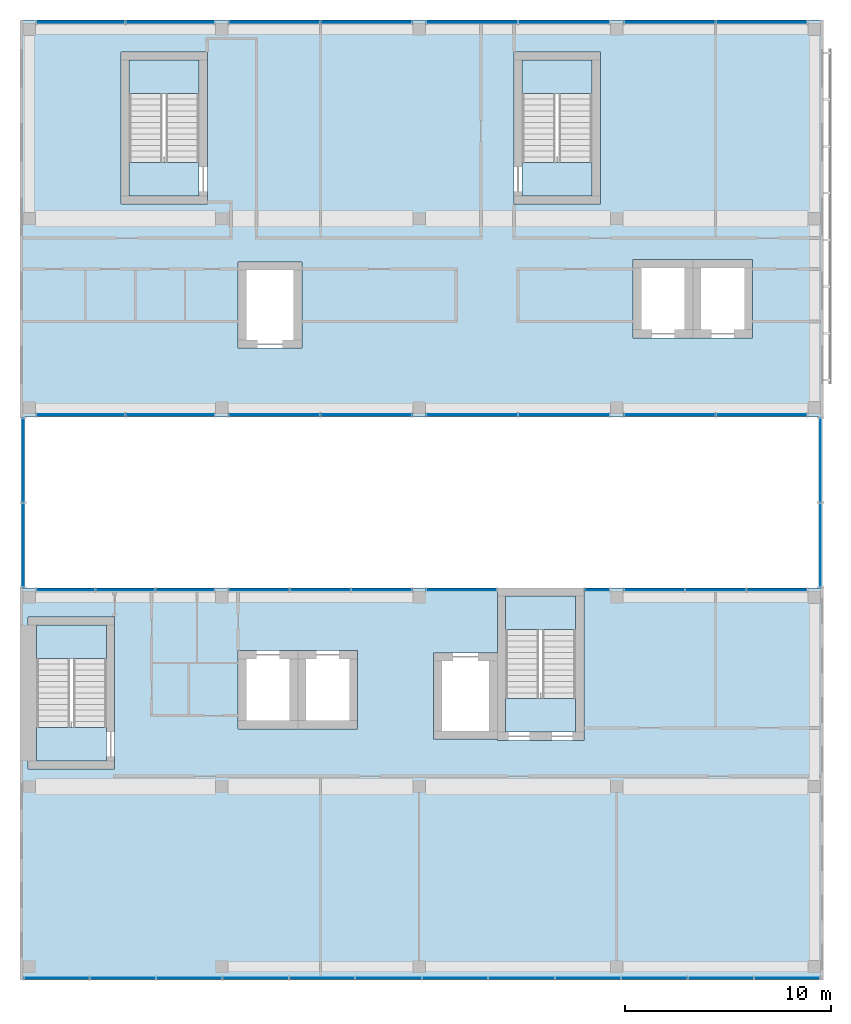
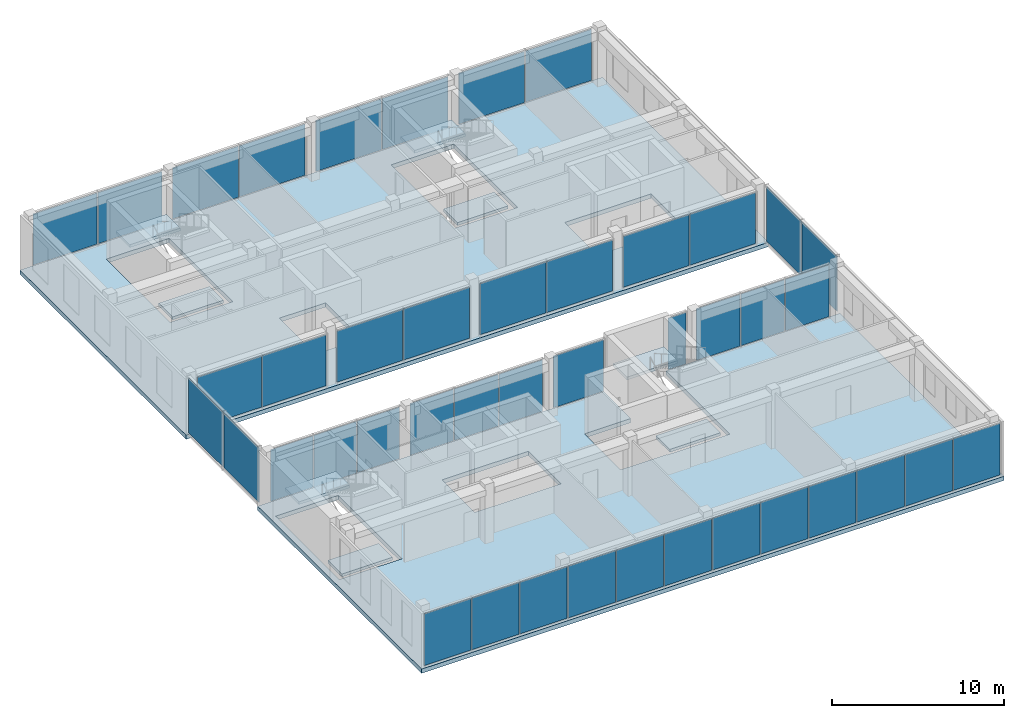
# One storey, part 18 of 28: 43 plates, 10 slabs, 20 elements without a shape of their own.
"""IFC4 building model written with IfcOpenShell, lengths in metres."""

from ifc_helpers import new_model, si_unit, direction, frame, origin, origin_2d, place, context, subcontext, project, spatial, polyline, rectangle, outline, extrude, material, layer, layer_set, type_object, element, aggregate, save


model = new_model("IFC4")

# Units and contexts
model_context = context("Model", 3, precision=1e-05, world=origin(), true_north=direction((0.0, 1.0)))
body_context = subcontext(model_context, "Body", "Model", "MODEL_VIEW")
ifc_project = project(units=[si_unit("LENGTHUNIT", "METRE"), si_unit("AREAUNIT", "SQUARE_METRE"), si_unit("VOLUMEUNIT", "CUBIC_METRE"), si_unit("PLANEANGLEUNIT", "RADIAN"), si_unit("MASSUNIT", "GRAM", prefix="KILO")], contexts=[model_context])

# Site, building, storey
site_placement = place(None, origin())
site = spatial("IfcSite", under=ifc_project, at=site_placement, CompositionType="ELEMENT")
building_placement = place(site_placement, origin())
building = spatial("IfcBuilding", under=site, at=building_placement, Name="Nzadi Deep Aquarium and Research Tower", CompositionType="ELEMENT")
storey_placement = place(building_placement, frame((0.0, 0.0, 73.89990234375)))
storey = spatial("IfcBuildingStorey", under=building, at=storey_placement, Name="L15", CompositionType="ELEMENT", Elevation=73.89990234375)

# Curtain wall, plates
ifc_material_1 = material(Name="Aluminium unitised frame", Category="aluminium")
ifc_layer_1 = layer(ifc_material_1, 0.199951171875)
ifc_layer_set_1 = layer_set([ifc_layer_1], Name="Aluminium unitised frame")
curtain_wall_type_1 = type_object("IfcCurtainWallType", Name="Curtain wall Unitised 200", PredefinedType="NOTDEFINED", material=ifc_layer_set_1)
curtain_wall_1_placement = place(storey_placement, origin())
curtain_wall_1 = element("IfcCurtainWall", 1, at=curtain_wall_1_placement, inside=storey, type_object=curtain_wall_type_1, Name="Unitised curtain wall blade A south L15", PredefinedType="NOTDEFINED")
ifc_material_2 = material(Name="Glass, sage tint", Category="glass")
ifc_layer_2 = layer(ifc_material_2, 0.035888671875)
ifc_layer_set_2 = layer_set([ifc_layer_2], Name="Glass, sage tint")
plate_type_1 = type_object("IfcPlateType", Name="Glazing panel 36 Unitised", PredefinedType="CURTAIN_PANEL", material=ifc_layer_set_2)
plate_1_placement = place(storey_placement, frame((1.57958984375, -0.10009765625, 0.1201171875), z_axis=(0.0, 0.0, 1.0), x_axis=(1.0, 0.0, 0.0)))
plate_1 = element("IfcPlate", 2, at=plate_1_placement, type_object=plate_type_1, Name="CW069 panel 1.1", PredefinedType="CURTAIN_PANEL", context=body_context, shape_type="SweptSolid", body=[
    extrude(rectangle(XDim=3.13916015625, YDim=0.035888671875, at=origin_2d()), origin(), (0.0, 0.0, 1.0), 3.659912109375),
])
plate_2_placement = place(storey_placement, frame((4.793701171875, -0.10009765625, 0.1201171875), z_axis=(0.0, 0.0, 1.0), x_axis=(1.0, 0.0, 0.0)))
plate_2 = element("IfcPlate", 3, at=plate_2_placement, type_object=plate_type_1, Name="CW069 panel 2.1", PredefinedType="CURTAIN_PANEL", context=body_context, shape_type="SweptSolid", body=[
    extrude(rectangle(XDim=3.169189453125, YDim=0.035888671875, at=origin_2d()), origin(), (0.0, 0.0, 1.0), 3.659912109375),
])
plate_3_placement = place(storey_placement, frame((8.02294921875, -0.10009765625, 0.1201171875), z_axis=(0.0, 0.0, 1.0), x_axis=(1.0, 0.0, 0.0)))
plate_3 = element("IfcPlate", 4, at=plate_3_placement, type_object=plate_type_1, Name="CW069 panel 3.1", PredefinedType="CURTAIN_PANEL", context=body_context, shape_type="SweptSolid", body=[
    extrude(rectangle(XDim=3.169189453125, YDim=0.035888671875, at=origin_2d()), origin(), (0.0, 0.0, 1.0), 3.659912109375),
])
plate_4_placement = place(storey_placement, frame((11.252197265625, -0.10009765625, 0.1201171875), z_axis=(0.0, 0.0, 1.0), x_axis=(1.0, 0.0, 0.0)))
plate_4 = element("IfcPlate", 5, at=plate_4_placement, type_object=plate_type_1, Name="CW069 panel 4.1", PredefinedType="CURTAIN_PANEL", context=body_context, shape_type="SweptSolid", body=[
    extrude(rectangle(XDim=3.169189453125, YDim=0.035888671875, at=origin_2d()), origin(), (0.0, 0.0, 1.0), 3.659912109375),
])
plate_5_placement = place(storey_placement, frame((14.481201171875, -0.10009765625, 0.1201171875), z_axis=(0.0, 0.0, 1.0), x_axis=(1.0, 0.0, 0.0)))
plate_5 = element("IfcPlate", 6, at=plate_5_placement, type_object=plate_type_1, Name="CW069 panel 5.1", PredefinedType="CURTAIN_PANEL", context=body_context, shape_type="SweptSolid", body=[
    extrude(rectangle(XDim=3.169189453125, YDim=0.035888671875, at=origin_2d()), origin(), (0.0, 0.0, 1.0), 3.659912109375),
])
plate_6_placement = place(storey_placement, frame((17.71044921875, -0.10009765625, 0.1201171875), z_axis=(0.0, 0.0, 1.0), x_axis=(1.0, 0.0, 0.0)))
plate_6 = element("IfcPlate", 7, at=plate_6_placement, type_object=plate_type_1, Name="CW069 panel 6.1", PredefinedType="CURTAIN_PANEL", context=body_context, shape_type="SweptSolid", body=[
    extrude(rectangle(XDim=3.169189453125, YDim=0.035888671875, at=origin_2d()), origin(), (0.0, 0.0, 1.0), 3.659912109375),
])
plate_7_placement = place(storey_placement, frame((20.939697265625, -0.10009765625, 0.1201171875), z_axis=(0.0, 0.0, 1.0), x_axis=(1.0, 0.0, 0.0)))
plate_7 = element("IfcPlate", 8, at=plate_7_placement, type_object=plate_type_1, Name="CW069 panel 7.1", PredefinedType="CURTAIN_PANEL", context=body_context, shape_type="SweptSolid", body=[
    extrude(rectangle(XDim=3.169189453125, YDim=0.035888671875, at=origin_2d()), origin(), (0.0, 0.0, 1.0), 3.659912109375),
])
plate_8_placement = place(storey_placement, frame((24.168701171875, -0.10009765625, 0.1201171875), z_axis=(0.0, 0.0, 1.0), x_axis=(1.0, 0.0, 0.0)))
plate_8 = element("IfcPlate", 9, at=plate_8_placement, type_object=plate_type_1, Name="CW069 panel 8.1", PredefinedType="CURTAIN_PANEL", context=body_context, shape_type="SweptSolid", body=[
    extrude(rectangle(XDim=3.169189453125, YDim=0.035888671875, at=origin_2d()), origin(), (0.0, 0.0, 1.0), 3.659912109375),
])
plate_9_placement = place(storey_placement, frame((27.39794921875, -0.10009765625, 0.1201171875), z_axis=(0.0, 0.0, 1.0), x_axis=(1.0, 0.0, 0.0)))
plate_9 = element("IfcPlate", 10, at=plate_9_placement, type_object=plate_type_1, Name="CW069 panel 9.1", PredefinedType="CURTAIN_PANEL", context=body_context, shape_type="SweptSolid", body=[
    extrude(rectangle(XDim=3.169189453125, YDim=0.035888671875, at=origin_2d()), origin(), (0.0, 0.0, 1.0), 3.659912109375),
])
plate_10_placement = place(storey_placement, frame((30.627197265625, -0.10009765625, 0.1201171875), z_axis=(0.0, 0.0, 1.0), x_axis=(1.0, 0.0, 0.0)))
plate_10 = element("IfcPlate", 11, at=plate_10_placement, type_object=plate_type_1, Name="CW069 panel 10.1", PredefinedType="CURTAIN_PANEL", context=body_context, shape_type="SweptSolid", body=[
    extrude(rectangle(XDim=3.169189453125, YDim=0.035888671875, at=origin_2d()), origin(), (0.0, 0.0, 1.0), 3.659912109375),
])
plate_11_placement = place(storey_placement, frame((33.856201171875, -0.10009765625, 0.1201171875), z_axis=(0.0, 0.0, 1.0), x_axis=(1.0, 0.0, 0.0)))
plate_11 = element("IfcPlate", 12, at=plate_11_placement, type_object=plate_type_1, Name="CW069 panel 11.1", PredefinedType="CURTAIN_PANEL", context=body_context, shape_type="SweptSolid", body=[
    extrude(rectangle(XDim=3.169189453125, YDim=0.035888671875, at=origin_2d()), origin(), (0.0, 0.0, 1.0), 3.659912109375),
])
plate_12_placement = place(storey_placement, frame((37.0703125, -0.10009765625, 0.1201171875), z_axis=(0.0, 0.0, 1.0), x_axis=(1.0, 0.0, 0.0)))
plate_12 = element("IfcPlate", 13, at=plate_12_placement, type_object=plate_type_1, Name="CW069 panel 12.1", PredefinedType="CURTAIN_PANEL", context=body_context, shape_type="SweptSolid", body=[
    extrude(rectangle(XDim=3.13916015625, YDim=0.035888671875, at=origin_2d()), origin(), (0.0, 0.0, 1.0), 3.659912109375),
])
aggregate(curtain_wall_1, [plate_1, plate_2, plate_3, plate_4, plate_5, plate_6, plate_7, plate_8, plate_9, plate_10, plate_11, plate_12])

curtain_wall_2_placement = place(storey_placement, origin())
curtain_wall_2 = element("IfcCurtainWall", 14, at=curtain_wall_2_placement, inside=storey, type_object=curtain_wall_type_1, Name="Unitised curtain wall blade A north L15", PredefinedType="NOTDEFINED")
plate_13_placement = place(storey_placement, frame((2.0234375, 18.75, 0.1201171875), z_axis=(0.0, 0.0, 1.0), x_axis=(1.0, 0.0, 0.0)))
plate_13 = element("IfcPlate", 15, at=plate_13_placement, type_object=plate_type_1, Name="CW070 panel 1.1", PredefinedType="CURTAIN_PANEL", context=body_context, shape_type="SweptSolid", body=[
    extrude(rectangle(XDim=2.82666015625, YDim=0.035888671875, at=origin_2d()), origin(), (0.0, 0.0, 1.0), 3.659912109375),
])
plate_14_placement = place(storey_placement, frame((4.925048828125, 18.75, 0.1201171875), z_axis=(0.0, 0.0, 1.0), x_axis=(1.0, 0.0, 0.0)))
plate_14 = element("IfcPlate", 16, at=plate_14_placement, type_object=plate_type_1, Name="CW070 panel 2.1", PredefinedType="CURTAIN_PANEL", context=body_context, shape_type="SweptSolid", body=[
    extrude(rectangle(XDim=2.856689453125, YDim=0.035888671875, at=origin_2d()), origin(), (0.0, 0.0, 1.0), 3.659912109375),
])
plate_15_placement = place(storey_placement, frame((7.82666015625, 18.75, 0.1201171875), z_axis=(0.0, 0.0, 1.0), x_axis=(1.0, 0.0, 0.0)))
plate_15 = element("IfcPlate", 17, at=plate_15_placement, type_object=plate_type_1, Name="CW070 panel 3.1", PredefinedType="CURTAIN_PANEL", context=body_context, shape_type="SweptSolid", body=[
    extrude(rectangle(XDim=2.82666015625, YDim=0.035888671875, at=origin_2d()), origin(), (0.0, 0.0, 1.0), 3.659912109375),
])
aggregate(curtain_wall_2, [plate_13, plate_14, plate_15])

curtain_wall_3_placement = place(storey_placement, origin())
curtain_wall_3 = element("IfcCurtainWall", 18, at=curtain_wall_3_placement, inside=storey, type_object=curtain_wall_type_1, Name="Unitised curtain wall blade A north L15", PredefinedType="NOTDEFINED")
plate_16_placement = place(storey_placement, frame((11.4150390625, 18.75, 0.1201171875), z_axis=(0.0, 0.0, 1.0), x_axis=(1.0, 0.0, 0.0)))
plate_16 = element("IfcPlate", 19, at=plate_16_placement, type_object=plate_type_1, Name="CW071 panel 1.1", PredefinedType="CURTAIN_PANEL", context=body_context, shape_type="SweptSolid", body=[
    extrude(rectangle(XDim=2.909912109375, YDim=0.035888671875, at=origin_2d()), origin(), (0.0, 0.0, 1.0), 3.659912109375),
])
plate_17_placement = place(storey_placement, frame((14.39990234375, 18.75, 0.1201171875), z_axis=(0.0, 0.0, 1.0), x_axis=(1.0, 0.0, 0.0)))
plate_17 = element("IfcPlate", 20, at=plate_17_placement, type_object=plate_type_1, Name="CW071 panel 2.1", PredefinedType="CURTAIN_PANEL", context=body_context, shape_type="SweptSolid", body=[
    extrude(rectangle(XDim=2.93994140625, YDim=0.035888671875, at=origin_2d()), origin(), (0.0, 0.0, 1.0), 3.659912109375),
])
plate_18_placement = place(storey_placement, frame((17.385009765625, 18.75, 0.1201171875), z_axis=(0.0, 0.0, 1.0), x_axis=(1.0, 0.0, 0.0)))
plate_18 = element("IfcPlate", 21, at=plate_18_placement, type_object=plate_type_1, Name="CW071 panel 3.1", PredefinedType="CURTAIN_PANEL", context=body_context, shape_type="SweptSolid", body=[
    extrude(rectangle(XDim=2.909912109375, YDim=0.035888671875, at=origin_2d()), origin(), (0.0, 0.0, 1.0), 3.659912109375),
])
aggregate(curtain_wall_3, [plate_16, plate_17, plate_18])

# Curtain wall, plate
curtain_wall_4_placement = place(storey_placement, origin())
curtain_wall_4 = element("IfcCurtainWall", 22, at=curtain_wall_4_placement, inside=storey, type_object=curtain_wall_type_1, Name="Unitised curtain wall blade A north L15", PredefinedType="NOTDEFINED")
plate_19_placement = place(storey_placement, frame((21.25, 18.75, 0.1201171875), z_axis=(0.0, 0.0, 1.0), x_axis=(1.0, 0.0, 0.0)))
plate_19 = element("IfcPlate", 23, at=plate_19_placement, type_object=plate_type_1, Name="CW072 panel 1.1", PredefinedType="CURTAIN_PANEL", context=body_context, shape_type="SweptSolid", body=[
    extrude(rectangle(XDim=3.3798828125, YDim=0.035888671875, at=origin_2d()), origin(), (0.0, 0.0, 1.0), 3.659912109375),
])
aggregate(curtain_wall_4, [plate_19])

curtain_wall_5_placement = place(storey_placement, origin())
curtain_wall_5 = element("IfcCurtainWall", 24, at=curtain_wall_5_placement, inside=storey, type_object=curtain_wall_type_1, Name="Unitised curtain wall blade A north L15", PredefinedType="NOTDEFINED")
plate_20_placement = place(storey_placement, frame((27.85009765625, 18.75, 0.1201171875), z_axis=(0.0, 0.0, 1.0), x_axis=(1.0, 0.0, 0.0)))
plate_20 = element("IfcPlate", 25, at=plate_20_placement, type_object=plate_type_1, Name="CW073 panel 1.1", PredefinedType="CURTAIN_PANEL", context=body_context, shape_type="SweptSolid", body=[
    extrude(rectangle(XDim=1.179931640625, YDim=0.035888671875, at=origin_2d()), origin(), (0.0, 0.0, 1.0), 3.659912109375),
])
aggregate(curtain_wall_5, [plate_20])

# Curtain wall, plates
curtain_wall_6_placement = place(storey_placement, origin())
curtain_wall_6 = element("IfcCurtainWall", 26, at=curtain_wall_6_placement, inside=storey, type_object=curtain_wall_type_1, Name="Unitised curtain wall blade A north L15", PredefinedType="NOTDEFINED")
plate_21_placement = place(storey_placement, frame((30.614990234375, 18.75, 0.1201171875), z_axis=(0.0, 0.0, 1.0), x_axis=(1.0, 0.0, 0.0)))
plate_21 = element("IfcPlate", 27, at=plate_21_placement, type_object=plate_type_1, Name="CW074 panel 1.1", PredefinedType="CURTAIN_PANEL", context=body_context, shape_type="SweptSolid", body=[
    extrude(rectangle(XDim=2.909912109375, YDim=0.035888671875, at=origin_2d()), origin(), (0.0, 0.0, 1.0), 3.659912109375),
])
plate_22_placement = place(storey_placement, frame((33.60009765625, 18.75, 0.1201171875), z_axis=(0.0, 0.0, 1.0), x_axis=(1.0, 0.0, 0.0)))
plate_22 = element("IfcPlate", 28, at=plate_22_placement, type_object=plate_type_1, Name="CW074 panel 2.1", PredefinedType="CURTAIN_PANEL", context=body_context, shape_type="SweptSolid", body=[
    extrude(rectangle(XDim=2.93994140625, YDim=0.035888671875, at=origin_2d()), origin(), (0.0, 0.0, 1.0), 3.659912109375),
])
plate_23_placement = place(storey_placement, frame((36.5849609375, 18.75, 0.1201171875), z_axis=(0.0, 0.0, 1.0), x_axis=(1.0, 0.0, 0.0)))
plate_23 = element("IfcPlate", 29, at=plate_23_placement, type_object=plate_type_1, Name="CW074 panel 3.1", PredefinedType="CURTAIN_PANEL", context=body_context, shape_type="SweptSolid", body=[
    extrude(rectangle(XDim=2.909912109375, YDim=0.035888671875, at=origin_2d()), origin(), (0.0, 0.0, 1.0), 3.659912109375),
])
aggregate(curtain_wall_6, [plate_21, plate_22, plate_23])

ifc_material_3 = material(Name="Aluminium unitised frame deep", Category="aluminium")
ifc_layer_3 = layer(ifc_material_3, 0.22509765625)
ifc_layer_set_3 = layer_set([ifc_layer_3], Name="Aluminium unitised frame deep")
curtain_wall_type_2 = type_object("IfcCurtainWallType", Name="Curtain wall Unitised Deep 225", PredefinedType="NOTDEFINED", material=ifc_layer_set_3)
curtain_wall_7_placement = place(storey_placement, origin())
curtain_wall_7 = element("IfcCurtainWall", 30, at=curtain_wall_7_placement, inside=storey, type_object=curtain_wall_type_2, Name="Unitised curtain wall blade B south L15", PredefinedType="NOTDEFINED")
ifc_material_4 = material(Name="Glass, sage tint", Category="glass")
ifc_layer_4 = layer(ifc_material_4, 0.0400390625)
ifc_layer_set_4 = layer_set([ifc_layer_4], Name="Glass, sage tint")
plate_type_2 = type_object("IfcPlateType", Name="Glazing panel 40 Unitised Deep", PredefinedType="CURTAIN_PANEL", material=ifc_layer_set_4)
plate_24_placement = place(storey_placement, frame((2.75244140625, 27.262451171875, 0.14013671875), z_axis=(0.0, 0.0, 1.0), x_axis=(1.0, 0.0, 0.0)))
plate_24 = element("IfcPlate", 31, at=plate_24_placement, type_object=plate_type_2, Name="CW184 panel 1.1", PredefinedType="CURTAIN_PANEL", context=body_context, shape_type="SweptSolid", body=[
    extrude(rectangle(XDim=4.284912109375, YDim=0.0400390625, at=origin_2d()), origin(), (0.0, 0.0, 1.0), 3.6201171875),
])
plate_25_placement = place(storey_placement, frame((7.097412109375, 27.262451171875, 0.14013671875), z_axis=(0.0, 0.0, 1.0), x_axis=(1.0, 0.0, 0.0)))
plate_25 = element("IfcPlate", 32, at=plate_25_placement, type_object=plate_type_2, Name="CW184 panel 2.1", PredefinedType="CURTAIN_PANEL", context=body_context, shape_type="SweptSolid", body=[
    extrude(rectangle(XDim=4.284912109375, YDim=0.0400390625, at=origin_2d()), origin(), (0.0, 0.0, 1.0), 3.6201171875),
])
aggregate(curtain_wall_7, [plate_24, plate_25])

curtain_wall_8_placement = place(storey_placement, origin())
curtain_wall_8 = element("IfcCurtainWall", 33, at=curtain_wall_8_placement, inside=storey, type_object=curtain_wall_type_2, Name="Unitised curtain wall blade B south L15", PredefinedType="NOTDEFINED")
plate_26_placement = place(storey_placement, frame((12.1650390625, 27.262451171875, 0.14013671875), z_axis=(0.0, 0.0, 1.0), x_axis=(1.0, 0.0, 0.0)))
plate_26 = element("IfcPlate", 34, at=plate_26_placement, type_object=plate_type_2, Name="CW185 panel 1.1", PredefinedType="CURTAIN_PANEL", context=body_context, shape_type="SweptSolid", body=[
    extrude(rectangle(XDim=4.409912109375, YDim=0.0400390625, at=origin_2d()), origin(), (0.0, 0.0, 1.0), 3.6201171875),
])
plate_27_placement = place(storey_placement, frame((16.635009765625, 27.262451171875, 0.14013671875), z_axis=(0.0, 0.0, 1.0), x_axis=(1.0, 0.0, 0.0)))
plate_27 = element("IfcPlate", 35, at=plate_27_placement, type_object=plate_type_2, Name="CW185 panel 2.1", PredefinedType="CURTAIN_PANEL", context=body_context, shape_type="SweptSolid", body=[
    extrude(rectangle(XDim=4.409912109375, YDim=0.0400390625, at=origin_2d()), origin(), (0.0, 0.0, 1.0), 3.6201171875),
])
aggregate(curtain_wall_8, [plate_26, plate_27])

curtain_wall_9_placement = place(storey_placement, origin())
curtain_wall_9 = element("IfcCurtainWall", 36, at=curtain_wall_9_placement, inside=storey, type_object=curtain_wall_type_2, Name="Unitised curtain wall blade B south L15", PredefinedType="NOTDEFINED")
plate_28_placement = place(storey_placement, frame((21.764892578125, 27.262451171875, 0.14013671875), z_axis=(0.0, 0.0, 1.0), x_axis=(1.0, 0.0, 0.0)))
plate_28 = element("IfcPlate", 37, at=plate_28_placement, type_object=plate_type_2, Name="CW186 panel 1.1", PredefinedType="CURTAIN_PANEL", context=body_context, shape_type="SweptSolid", body=[
    extrude(rectangle(XDim=4.409912109375, YDim=0.0400390625, at=origin_2d()), origin(), (0.0, 0.0, 1.0), 3.6201171875),
])
plate_29_placement = place(storey_placement, frame((26.235107421875, 27.262451171875, 0.14013671875), z_axis=(0.0, 0.0, 1.0), x_axis=(1.0, 0.0, 0.0)))
plate_29 = element("IfcPlate", 38, at=plate_29_placement, type_object=plate_type_2, Name="CW186 panel 2.1", PredefinedType="CURTAIN_PANEL", context=body_context, shape_type="SweptSolid", body=[
    extrude(rectangle(XDim=4.409912109375, YDim=0.0400390625, at=origin_2d()), origin(), (0.0, 0.0, 1.0), 3.6201171875),
])
aggregate(curtain_wall_9, [plate_28, plate_29])

curtain_wall_10_placement = place(storey_placement, origin())
curtain_wall_10 = element("IfcCurtainWall", 39, at=curtain_wall_10_placement, inside=storey, type_object=curtain_wall_type_2, Name="Unitised curtain wall blade B south L15", PredefinedType="NOTDEFINED")
plate_30_placement = place(storey_placement, frame((31.364990234375, 27.262451171875, 0.14013671875), z_axis=(0.0, 0.0, 1.0), x_axis=(1.0, 0.0, 0.0)))
plate_30 = element("IfcPlate", 40, at=plate_30_placement, type_object=plate_type_2, Name="CW187 panel 1.1", PredefinedType="CURTAIN_PANEL", context=body_context, shape_type="SweptSolid", body=[
    extrude(rectangle(XDim=4.409912109375, YDim=0.0400390625, at=origin_2d()), origin(), (0.0, 0.0, 1.0), 3.6201171875),
])
plate_31_placement = place(storey_placement, frame((35.8349609375, 27.262451171875, 0.14013671875), z_axis=(0.0, 0.0, 1.0), x_axis=(1.0, 0.0, 0.0)))
plate_31 = element("IfcPlate", 41, at=plate_31_placement, type_object=plate_type_2, Name="CW187 panel 2.1", PredefinedType="CURTAIN_PANEL", context=body_context, shape_type="SweptSolid", body=[
    extrude(rectangle(XDim=4.409912109375, YDim=0.0400390625, at=origin_2d()), origin(), (0.0, 0.0, 1.0), 3.6201171875),
])
aggregate(curtain_wall_10, [plate_30, plate_31])

curtain_wall_11_placement = place(storey_placement, origin())
curtain_wall_11 = element("IfcCurtainWall", 42, at=curtain_wall_11_placement, inside=storey, type_object=curtain_wall_type_2, Name="Unitised curtain wall blade B north L15", PredefinedType="NOTDEFINED")
plate_32_placement = place(storey_placement, frame((2.75244140625, 46.33740234375, 0.14013671875), z_axis=(0.0, 0.0, 1.0), x_axis=(1.0, 0.0, 0.0)))
plate_32 = element("IfcPlate", 43, at=plate_32_placement, type_object=plate_type_2, Name="CW188 panel 1.1", PredefinedType="CURTAIN_PANEL", context=body_context, shape_type="SweptSolid", body=[
    extrude(rectangle(XDim=4.284912109375, YDim=0.0400390625, at=origin_2d()), origin(), (0.0, 0.0, 1.0), 3.6201171875),
])
plate_33_placement = place(storey_placement, frame((7.097412109375, 46.33740234375, 0.14013671875), z_axis=(0.0, 0.0, 1.0), x_axis=(1.0, 0.0, 0.0)))
plate_33 = element("IfcPlate", 44, at=plate_33_placement, type_object=plate_type_2, Name="CW188 panel 2.1", PredefinedType="CURTAIN_PANEL", context=body_context, shape_type="SweptSolid", body=[
    extrude(rectangle(XDim=4.284912109375, YDim=0.0400390625, at=origin_2d()), origin(), (0.0, 0.0, 1.0), 3.6201171875),
])
aggregate(curtain_wall_11, [plate_32, plate_33])

curtain_wall_12_placement = place(storey_placement, origin())
curtain_wall_12 = element("IfcCurtainWall", 45, at=curtain_wall_12_placement, inside=storey, type_object=curtain_wall_type_2, Name="Unitised curtain wall blade B north L15", PredefinedType="NOTDEFINED")
plate_34_placement = place(storey_placement, frame((12.1650390625, 46.33740234375, 0.14013671875), z_axis=(0.0, 0.0, 1.0), x_axis=(1.0, 0.0, 0.0)))
plate_34 = element("IfcPlate", 46, at=plate_34_placement, type_object=plate_type_2, Name="CW189 panel 1.1", PredefinedType="CURTAIN_PANEL", context=body_context, shape_type="SweptSolid", body=[
    extrude(rectangle(XDim=4.409912109375, YDim=0.0400390625, at=origin_2d()), origin(), (0.0, 0.0, 1.0), 3.6201171875),
])
plate_35_placement = place(storey_placement, frame((16.635009765625, 46.33740234375, 0.14013671875), z_axis=(0.0, 0.0, 1.0), x_axis=(1.0, 0.0, 0.0)))
plate_35 = element("IfcPlate", 47, at=plate_35_placement, type_object=plate_type_2, Name="CW189 panel 2.1", PredefinedType="CURTAIN_PANEL", context=body_context, shape_type="SweptSolid", body=[
    extrude(rectangle(XDim=4.409912109375, YDim=0.0400390625, at=origin_2d()), origin(), (0.0, 0.0, 1.0), 3.6201171875),
])
aggregate(curtain_wall_12, [plate_34, plate_35])

curtain_wall_13_placement = place(storey_placement, origin())
curtain_wall_13 = element("IfcCurtainWall", 48, at=curtain_wall_13_placement, inside=storey, type_object=curtain_wall_type_2, Name="Unitised curtain wall blade B north L15", PredefinedType="NOTDEFINED")
plate_36_placement = place(storey_placement, frame((21.764892578125, 46.33740234375, 0.14013671875), z_axis=(0.0, 0.0, 1.0), x_axis=(1.0, 0.0, 0.0)))
plate_36 = element("IfcPlate", 49, at=plate_36_placement, type_object=plate_type_2, Name="CW190 panel 1.1", PredefinedType="CURTAIN_PANEL", context=body_context, shape_type="SweptSolid", body=[
    extrude(rectangle(XDim=4.409912109375, YDim=0.0400390625, at=origin_2d()), origin(), (0.0, 0.0, 1.0), 3.6201171875),
])
plate_37_placement = place(storey_placement, frame((26.235107421875, 46.33740234375, 0.14013671875), z_axis=(0.0, 0.0, 1.0), x_axis=(1.0, 0.0, 0.0)))
plate_37 = element("IfcPlate", 50, at=plate_37_placement, type_object=plate_type_2, Name="CW190 panel 2.1", PredefinedType="CURTAIN_PANEL", context=body_context, shape_type="SweptSolid", body=[
    extrude(rectangle(XDim=4.409912109375, YDim=0.0400390625, at=origin_2d()), origin(), (0.0, 0.0, 1.0), 3.6201171875),
])
aggregate(curtain_wall_13, [plate_36, plate_37])

curtain_wall_14_placement = place(storey_placement, origin())
curtain_wall_14 = element("IfcCurtainWall", 51, at=curtain_wall_14_placement, inside=storey, type_object=curtain_wall_type_2, Name="Unitised curtain wall blade B north L15", PredefinedType="NOTDEFINED")
plate_38_placement = place(storey_placement, frame((31.364990234375, 46.33740234375, 0.14013671875), z_axis=(0.0, 0.0, 1.0), x_axis=(1.0, 0.0, 0.0)))
plate_38 = element("IfcPlate", 52, at=plate_38_placement, type_object=plate_type_2, Name="CW191 panel 1.1", PredefinedType="CURTAIN_PANEL", context=body_context, shape_type="SweptSolid", body=[
    extrude(rectangle(XDim=4.409912109375, YDim=0.0400390625, at=origin_2d()), origin(), (0.0, 0.0, 1.0), 3.6201171875),
])
plate_39_placement = place(storey_placement, frame((35.8349609375, 46.33740234375, 0.14013671875), z_axis=(0.0, 0.0, 1.0), x_axis=(1.0, 0.0, 0.0)))
plate_39 = element("IfcPlate", 53, at=plate_39_placement, type_object=plate_type_2, Name="CW191 panel 2.1", PredefinedType="CURTAIN_PANEL", context=body_context, shape_type="SweptSolid", body=[
    extrude(rectangle(XDim=4.409912109375, YDim=0.0400390625, at=origin_2d()), origin(), (0.0, 0.0, 1.0), 3.6201171875),
])
aggregate(curtain_wall_14, [plate_38, plate_39])

ifc_material_5 = material(Name="Aluminium unitised frame wind post", Category="aluminium")
ifc_layer_5 = layer(ifc_material_5, 0.300048828125)
ifc_layer_set_5 = layer_set([ifc_layer_5], Name="Aluminium unitised frame wind post")
curtain_wall_type_3 = type_object("IfcCurtainWallType", Name="Curtain wall Slot End 300", PredefinedType="NOTDEFINED", material=ifc_layer_set_5)
curtain_wall_15_placement = place(storey_placement, origin())
curtain_wall_15 = element("IfcCurtainWall", 54, at=curtain_wall_15_placement, inside=storey, type_object=curtain_wall_type_3, Name="Glazed slot end west L15", PredefinedType="NOTDEFINED")
ifc_material_6 = material(Name="Glass, sage tint", Category="glass")
ifc_layer_6 = layer(ifc_material_6, 0.0439453125)
ifc_layer_set_6 = layer_set([ifc_layer_6], Name="Glass, sage tint")
plate_type_3 = type_object("IfcPlateType", Name="Glazing panel 44 Slot End", PredefinedType="CURTAIN_PANEL", material=ifc_layer_set_6)
plate_40_placement = place(storey_placement, frame((-0.050048828125, 20.93994140625, 0.16015625), z_axis=(0.0, 0.0, 1.0), x_axis=(0.0, 1.0, 0.0)))
plate_40 = element("IfcPlate", 55, at=plate_40_placement, type_object=plate_type_3, Name="CW221 panel 1.1", PredefinedType="CURTAIN_PANEL", context=body_context, shape_type="SweptSolid", body=[
    extrude(rectangle(XDim=4.06005859375, YDim=0.0439453125, at=origin_2d()), origin(), (0.0, 0.0, 1.0), 3.8798828125),
])
plate_41_placement = place(storey_placement, frame((-0.050048828125, 25.06005859375, 0.16015625), z_axis=(0.0, 0.0, 1.0), x_axis=(0.0, 1.0, 0.0)))
plate_41 = element("IfcPlate", 56, at=plate_41_placement, type_object=plate_type_3, Name="CW221 panel 2.1", PredefinedType="CURTAIN_PANEL", context=body_context, shape_type="SweptSolid", body=[
    extrude(rectangle(XDim=4.06005859375, YDim=0.0439453125, at=origin_2d()), origin(), (0.0, 0.0, 1.0), 3.8798828125),
])
aggregate(curtain_wall_15, [plate_40, plate_41])

curtain_wall_16_placement = place(storey_placement, origin())
curtain_wall_16 = element("IfcCurtainWall", 57, at=curtain_wall_16_placement, inside=storey, type_object=curtain_wall_type_3, Name="Glazed slot end east L15", PredefinedType="NOTDEFINED")
plate_42_placement = place(storey_placement, frame((38.699951171875, 20.93994140625, 0.16015625), z_axis=(0.0, 0.0, 1.0), x_axis=(0.0, 1.0, 0.0)))
plate_42 = element("IfcPlate", 58, at=plate_42_placement, type_object=plate_type_3, Name="CW222 panel 1.1", PredefinedType="CURTAIN_PANEL", context=body_context, shape_type="SweptSolid", body=[
    extrude(rectangle(XDim=4.06005859375, YDim=0.0439453125, at=origin_2d()), origin(), (0.0, 0.0, 1.0), 3.8798828125),
])
plate_43_placement = place(storey_placement, frame((38.699951171875, 25.06005859375, 0.16015625), z_axis=(0.0, 0.0, 1.0), x_axis=(0.0, 1.0, 0.0)))
plate_43 = element("IfcPlate", 59, at=plate_43_placement, type_object=plate_type_3, Name="CW222 panel 2.1", PredefinedType="CURTAIN_PANEL", context=body_context, shape_type="SweptSolid", body=[
    extrude(rectangle(XDim=4.06005859375, YDim=0.0439453125, at=origin_2d()), origin(), (0.0, 0.0, 1.0), 3.8798828125),
])
aggregate(curtain_wall_16, [plate_42, plate_43])

# Stair, slabs
ifc_material_7 = material(Name="Concrete C35/45", Category="concrete")
stair_type = type_object("IfcStairType", Name="STAIR RETURN 3000", PredefinedType="NOTDEFINED", material=ifc_material_7)
stair_1_placement = place(storey_placement, origin())
stair_1 = element("IfcStair", 60, at=stair_1_placement, inside=storey, type_object=stair_type, Name="Stair ST-Z1-SW L15", PredefinedType="HALF_TURN_STAIR")
ifc_material_8 = material(Name="Concrete C35/45", Category="concrete")
ifc_layer_7 = layer(ifc_material_8, 0.199951171875)
ifc_layer_set_7 = layer_set([ifc_layer_7], Name="Concrete C35/45")
slab_type_1 = type_object("IfcSlabType", Name="LANDING 200", PredefinedType="LANDING", material=ifc_layer_set_7)
slab_1_placement = place(storey_placement, frame((0.0, 0.0, -0.199951171875)))
slab_1 = element("IfcSlab", 61, at=slab_1_placement, type_object=slab_type_1, Name="ST-Z1-SW landing 1", PredefinedType="LANDING", context=body_context, shape_type="SweptSolid", body=[
    extrude(outline(polyline([(0.60009765625, 10.449951171875), (4.0, 10.449951171875), (4.0, 12.070068359375), (0.60009765625, 12.070068359375), (0.60009765625, 10.449951171875)])), origin(), (0.0, 0.0, 1.0), 0.199951171875),
])
slab_2_placement = place(storey_placement, frame((0.0, 0.0, 1.900146484375)))
slab_2 = element("IfcSlab", 62, at=slab_2_placement, type_object=slab_type_1, Name="ST-Z1-SW landing 2", PredefinedType="LANDING", context=body_context, shape_type="SweptSolid", body=[
    extrude(outline(polyline([(0.60009765625, 15.429931640625), (4.0, 15.429931640625), (4.0, 17.050048828125), (0.60009765625, 17.050048828125), (0.60009765625, 15.429931640625)])), origin(), (0.0, 0.0, 1.0), 0.199951171875),
])
aggregate(stair_1, [slab_1, slab_2])

stair_2_placement = place(storey_placement, origin())
stair_2 = element("IfcStair", 63, at=stair_2_placement, inside=storey, type_object=stair_type, Name="Stair ST-Z1-SE L15", PredefinedType="HALF_TURN_STAIR")
slab_3_placement = place(storey_placement, frame((0.0, 0.0, -0.199951171875)))
slab_3 = element("IfcSlab", 64, at=slab_3_placement, type_object=slab_type_1, Name="ST-Z1-SE landing 1", PredefinedType="LANDING", context=body_context, shape_type="SweptSolid", body=[
    extrude(outline(polyline([(23.39990234375, 11.85009765625), (26.800048828125, 11.85009765625), (26.800048828125, 13.469970703125), (23.39990234375, 13.469970703125), (23.39990234375, 11.85009765625)])), origin(), (0.0, 0.0, 1.0), 0.199951171875),
])
slab_4_placement = place(storey_placement, frame((0.0, 0.0, 1.900146484375)))
slab_4 = element("IfcSlab", 65, at=slab_4_placement, type_object=slab_type_1, Name="ST-Z1-SE landing 2", PredefinedType="LANDING", context=body_context, shape_type="SweptSolid", body=[
    extrude(outline(polyline([(23.39990234375, 16.830078125), (26.800048828125, 16.830078125), (26.800048828125, 18.449951171875), (23.39990234375, 18.449951171875), (23.39990234375, 16.830078125)])), origin(), (0.0, 0.0, 1.0), 0.199951171875),
])
aggregate(stair_2, [slab_3, slab_4])

stair_3_placement = place(storey_placement, origin())
stair_3 = element("IfcStair", 66, at=stair_3_placement, inside=storey, type_object=stair_type, Name="Stair ST-Z1-NW L15", PredefinedType="HALF_TURN_STAIR")
slab_5_placement = place(storey_placement, frame((0.0, 0.0, -0.199951171875)))
slab_5 = element("IfcSlab", 67, at=slab_5_placement, type_object=slab_type_1, Name="ST-Z1-NW landing 1", PredefinedType="LANDING", context=body_context, shape_type="SweptSolid", body=[
    extrude(outline(polyline([(5.10009765625, 37.89990234375), (8.5, 37.89990234375), (8.5, 39.52001953125), (5.10009765625, 39.52001953125), (5.10009765625, 37.89990234375)])), origin(), (0.0, 0.0, 1.0), 0.199951171875),
])
slab_6_placement = place(storey_placement, frame((0.0, 0.0, 1.900146484375)))
slab_6 = element("IfcSlab", 68, at=slab_6_placement, type_object=slab_type_1, Name="ST-Z1-NW landing 2", PredefinedType="LANDING", context=body_context, shape_type="SweptSolid", body=[
    extrude(outline(polyline([(5.10009765625, 42.8798828125), (8.5, 42.8798828125), (8.5, 44.5), (5.10009765625, 44.5), (5.10009765625, 42.8798828125)])), origin(), (0.0, 0.0, 1.0), 0.199951171875),
])
aggregate(stair_3, [slab_5, slab_6])

stair_4_placement = place(storey_placement, origin())
stair_4 = element("IfcStair", 69, at=stair_4_placement, inside=storey, type_object=stair_type, Name="Stair ST-Z1-NE L15", PredefinedType="HALF_TURN_STAIR")
slab_7_placement = place(storey_placement, frame((0.0, 0.0, -0.199951171875)))
slab_7 = element("IfcSlab", 70, at=slab_7_placement, type_object=slab_type_1, Name="ST-Z1-NE landing 1", PredefinedType="LANDING", context=body_context, shape_type="SweptSolid", body=[
    extrude(outline(polyline([(24.199951171875, 37.89990234375), (27.60009765625, 37.89990234375), (27.60009765625, 39.52001953125), (24.199951171875, 39.52001953125), (24.199951171875, 37.89990234375)])), origin(), (0.0, 0.0, 1.0), 0.199951171875),
])
slab_8_placement = place(storey_placement, frame((0.0, 0.0, 1.900146484375)))
slab_8 = element("IfcSlab", 71, at=slab_8_placement, type_object=slab_type_1, Name="ST-Z1-NE landing 2", PredefinedType="LANDING", context=body_context, shape_type="SweptSolid", body=[
    extrude(outline(polyline([(24.199951171875, 42.8798828125), (27.60009765625, 42.8798828125), (27.60009765625, 44.5), (24.199951171875, 44.5), (24.199951171875, 42.8798828125)])), origin(), (0.0, 0.0, 1.0), 0.199951171875),
])
aggregate(stair_4, [slab_7, slab_8])

# Slabs
ifc_material_9 = material(Name="Concrete C35/45", Category="concrete")
ifc_layer_8 = layer(ifc_material_9, 0.300048828125)
ifc_layer_set_8 = layer_set([ifc_layer_8], Name="Concrete C35/45")
slab_type_2 = type_object("IfcSlabType", Name="RC floor slab 300", PredefinedType="FLOOR", material=ifc_layer_set_8)
slab_9_placement = place(storey_placement, frame((0.0, 0.0, -0.2998046875)))
element("IfcSlab", 72, at=slab_9_placement, inside=storey, type_object=slab_type_2, Name="Tower floor A L15", PredefinedType="FLOOR", context=body_context, shape_type="SweptSolid", body=[
    extrude(outline(polyline([(27.199951171875, 11.449951171875), (23.0, 11.449951171875), (23.0, 11.5), (19.89990234375, 11.5), (19.89990234375, 15.699951171875), (23.0, 15.699951171875), (23.0, 18.85009765625), (-0.199462890625, 18.85009765625), (-0.199462890625, -0.199951171875), (38.85009765625, -0.199951171875), (38.85009765625, 18.85009765625), (27.199951171875, 18.85009765625), (27.199951171875, 11.449951171875)]), holes=[polyline([(4.39990234375, 17.449951171875), (4.39990234375, 10.050048828125), (0.199951171875, 10.050048828125), (0.199951171875, 17.449951171875), (4.39990234375, 17.449951171875)]), polyline([(10.39990234375, 12.0), (10.39990234375, 15.800048828125), (13.300048828125, 15.800048828125), (16.199951171875, 15.800048828125), (16.199951171875, 12.0), (13.300048828125, 12.0), (10.39990234375, 12.0)])]), origin(), (0.0, 0.0, 1.0), 0.2998046875),
])
slab_10_placement = place(storey_placement, frame((0.0, 0.0, -0.2998046875)))
element("IfcSlab", 73, at=slab_10_placement, inside=storey, type_object=slab_type_2, Name="Tower floor B L15", PredefinedType="FLOOR", context=body_context, shape_type="SweptSolid", body=[
    extrude(outline(polyline([(-0.199462890625, 27.14990234375), (38.85009765625, 27.14990234375), (38.85009765625, 46.449951171875), (-0.199462890625, 46.449951171875), (-0.199462890625, 27.14990234375)]), holes=[polyline([(8.89990234375, 44.89990234375), (8.89990234375, 37.5), (4.699951171875, 37.5), (4.699951171875, 44.89990234375), (8.89990234375, 44.89990234375)]), polyline([(28.0, 37.5), (23.800048828125, 37.5), (23.800048828125, 44.89990234375), (28.0, 44.89990234375), (28.0, 37.5)]), polyline([(10.39990234375, 30.5), (10.39990234375, 34.699951171875), (13.5, 34.699951171875), (13.5, 30.5), (10.39990234375, 30.5)]), polyline([(29.60009765625, 34.800048828125), (32.5, 34.800048828125), (35.39990234375, 34.800048828125), (35.39990234375, 31.0), (32.5, 31.0), (29.60009765625, 31.0), (29.60009765625, 34.800048828125)])]), origin(), (0.0, 0.0, 1.0), 0.2998046875),
])

save(model, "model.ifc")
